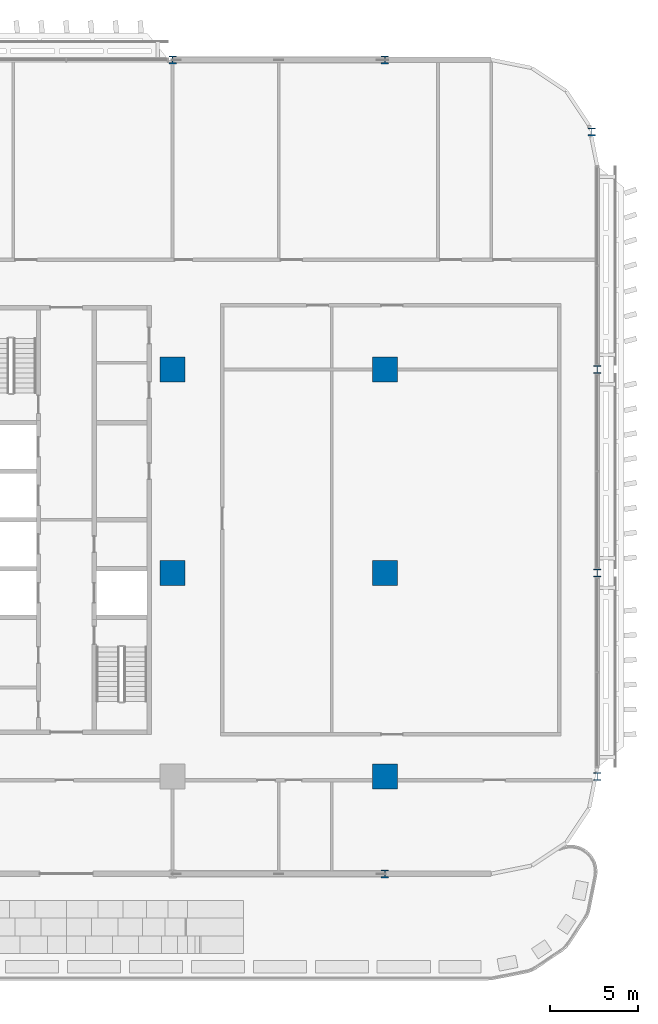
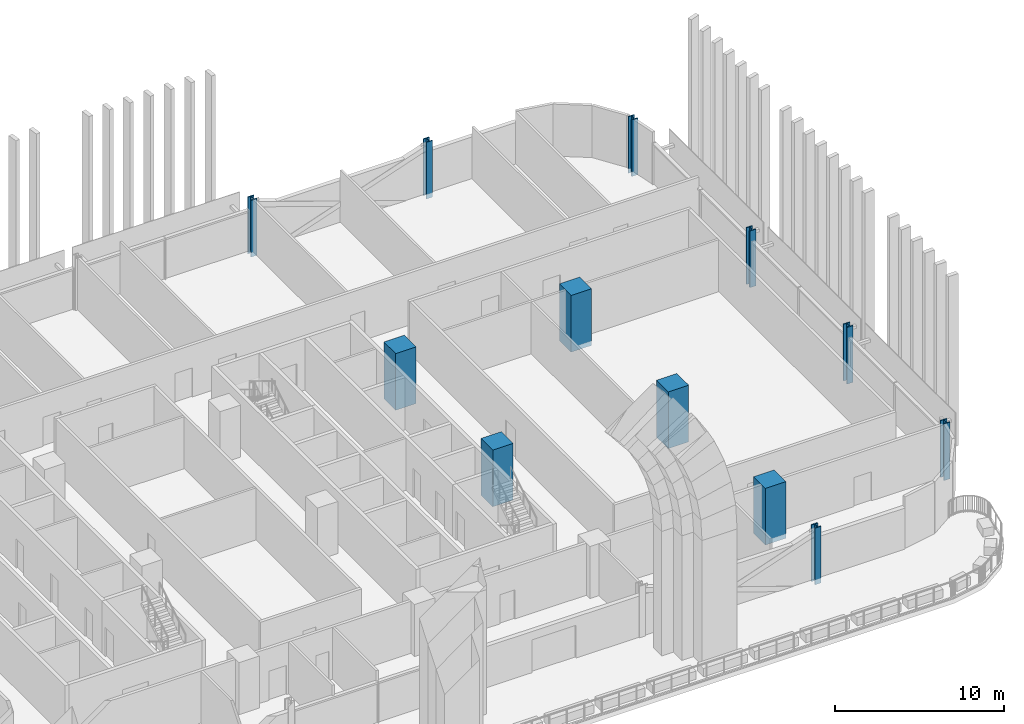
# One storey, part 2 of 31: 12 columns.
"""IFC4 building model written with IfcOpenShell, lengths in metres."""

import ifcopenshell
import ifcopenshell.guid

model = None  # the IFC model being written
_history = None  # IfcOwnerHistory: only IFC2X3 demands one
_inside = {}  # id of a spatial element -> (the spatial element, [elements in it])
_under = {}  # id of a project, library or spatial element -> (it, [spatial elements below it])
_declared = {}  # id of a project -> (the project, [libraries it declares])
_typed = {}  # id of a type object -> (the type object, [elements of that type])
_made_of = {}  # id of a material, layer set ... -> (it, [elements and type objects made of it])


def new_model(schema):
    """Start an empty IFC model of exactly this schema.

    Asked for "IFC4X3", IfcOpenShell would pick the latest addendum, in which some entities
    have other attributes; the version numbers below select the first issue.
    IFC2X3 requires an IfcOwnerHistory on every rooted entity: one is made here for all.
    """
    global model, _history
    if schema == "IFC4X3":
        model = ifcopenshell.file(schema_version=(4, 3, 0, 0))
    else:
        model = ifcopenshell.file(schema=schema)
    _inside.clear()
    _under.clear()
    _declared.clear()
    _typed.clear()
    _made_of.clear()
    _history = None
    if model.schema == "IFC2X3":
        org = make("IfcOrganization", Name="unknown")
        user = make(
            "IfcPersonAndOrganization",
            ThePerson=make("IfcPerson", FamilyName="unknown"),
            TheOrganization=org,
        )
        app = make(
            "IfcApplication",
            ApplicationDeveloper=org,
            Version="unknown",
            ApplicationFullName="unknown",
            ApplicationIdentifier="unknown",
        )
        _history = make(
            "IfcOwnerHistory",
            OwningUser=user,
            OwningApplication=app,
            ChangeAction="ADDED",
            CreationDate=0,
        )
    return model


def make(cls, **values):
    """One entity of the class cls with the attributes given. An attribute that is None is left unset."""
    return model.create_entity(
        cls, **{name: value for name, value in values.items() if value is not None}
    )


def rooted(cls, **values):
    """An entity with a GlobalId (a new one), such as an element, a storey or a relation."""
    return make(cls, GlobalId=ifcopenshell.guid.new(), OwnerHistory=_history, **values)


def si_unit(unit_type, name, prefix=None):
    """IfcSIUnit, for example si_unit("LENGTHUNIT", "METRE", prefix="MILLI")."""
    return make("IfcSIUnit", UnitType=unit_type, Prefix=prefix, Name=name)


def assignment(units):
    """IfcUnitAssignment: the units of a project."""
    return None if units is None else make("IfcUnitAssignment", Units=units)


def point(xyz):
    """IfcCartesianPoint."""
    return None if xyz is None else make("IfcCartesianPoint", Coordinates=xyz)


def direction(xyz):
    """IfcDirection."""
    return None if xyz is None else make("IfcDirection", DirectionRatios=xyz)


def frame(location, z_axis=None, x_axis=None):
    """IfcAxis2Placement3D, a coordinate frame: its origin and axes. An axis left out is left unset."""
    return make(
        "IfcAxis2Placement3D",
        Location=point(location),
        Axis=direction(z_axis),
        RefDirection=direction(x_axis),
    )


def frame_2d(location, x_axis=None):
    """IfcAxis2Placement2D, a coordinate frame in the plane: its origin and x axis."""
    return make(
        "IfcAxis2Placement2D", Location=point(location), RefDirection=direction(x_axis)
    )


def origin():
    """The frame at (0, 0, 0) with its axes left unset."""
    return frame((0.0, 0.0, 0.0))


def origin_2d():
    """The frame at (0, 0) in the plane with its x axis left unset."""
    return frame_2d((0.0, 0.0))


def place(relative_to, where):
    """IfcLocalPlacement: puts the frame where relative to a parent placement (None: the world)."""
    return make(
        "IfcLocalPlacement", PlacementRelTo=relative_to, RelativePlacement=where
    )


def context(
    kind, dimensions, precision=None, world=None, true_north=None, identifier=None
):
    """IfcGeometricRepresentationContext, for example the 3D "Model" context."""
    return make(
        "IfcGeometricRepresentationContext",
        ContextIdentifier=identifier,
        ContextType=kind,
        CoordinateSpaceDimension=dimensions,
        Precision=precision,
        WorldCoordinateSystem=world,
        TrueNorth=true_north,
    )


def subcontext(parent, identifier, kind, view, scale=None):
    """IfcGeometricRepresentationSubContext, for example "Body" below "Model"."""
    return make(
        "IfcGeometricRepresentationSubContext",
        ContextIdentifier=identifier,
        ContextType=kind,
        ParentContext=parent,
        TargetScale=scale,
        TargetView=view,
    )


def project(units=None, contexts=None):
    """IfcProject with its units and contexts."""
    return rooted(
        "IfcProject",
        Name="project",
        RepresentationContexts=contexts,
        UnitsInContext=assignment(units),
    )


def spatial(cls, under=None, at=None, **own):
    """A site, building, storey or space (cls), placed at a placement, below another one or the project."""
    s = rooted(cls, ObjectPlacement=at, **own)
    if under is not None:
        _under.setdefault(under.id(), (under, []))[1].append(s)
    return s


def profile(cls, at=None, kind="AREA", **sizes):
    """A parametric profile (cls). Its sizes go by their IFC names, for example OverallWidth=200.0."""
    return make(cls, ProfileType=kind, Position=at, **sizes)


def rectangle(**sizes):
    """IfcRectangleProfileDef."""
    return profile("IfcRectangleProfileDef", **sizes)


def i_section(**sizes):
    """IfcIShapeProfileDef."""
    return profile("IfcIShapeProfileDef", **sizes)


def extrude(swept, where, along, depth):
    """IfcExtrudedAreaSolid: the profile swept, set in the frame where, extruded along a direction by depth."""
    return make(
        "IfcExtrudedAreaSolid",
        SweptArea=swept,
        Position=where,
        ExtrudedDirection=direction(along),
        Depth=depth,
    )


def shape(context_of_items, identifier, shape_type, items):
    """IfcShapeRepresentation: the items that make up one representation, for example the "Body"."""
    return make(
        "IfcShapeRepresentation",
        ContextOfItems=context_of_items,
        RepresentationIdentifier=identifier,
        RepresentationType=shape_type,
        Items=items,
    )


def material(Name=None, Category=None):
    """IfcMaterial."""
    return make("IfcMaterial", Name=Name, Category=Category)


def material_profile(
    of_material, cross_section, Name=None, Category=None, Priority=None
):
    """IfcMaterialProfile: a cross section and its material."""
    return make(
        "IfcMaterialProfile",
        Name=Name,
        Material=of_material,
        Profile=cross_section,
        Priority=Priority,
        Category=Category,
    )


def profile_set(profiles, Name=None, composite=None):
    """IfcMaterialProfileSet."""
    return make(
        "IfcMaterialProfileSet",
        Name=Name,
        MaterialProfiles=profiles,
        CompositeProfile=composite,
    )


def made_of(thing, what):
    """Note that an element or type object is made of a material, layer set ...; save() writes the relation."""
    if what is not None:
        _made_of.setdefault(what.id(), (what, []))[1].append(thing)
    return thing


def type_object(cls, material=None, **own):
    """A type object (cls), such as IfcWallType, which elements share."""
    return made_of(rooted(cls, **own), material)


def element(
    cls,
    number,
    at=None,
    inside=None,
    cuts=None,
    type_object=None,
    material=None,
    context=None,
    identifier="Body",
    shape_type=None,
    held_by="IfcProductDefinitionShape",
    body=None,
    shapes=None,
    **own,
):
    """One element of the class cls, such as IfcWall. Its Tag is "e" and its number.

    at: its placement. inside: the storey or other place that contains it. cuts: it is an
    opening in that element (IfcRelVoidsElement). A single representation is given by context,
    identifier, shape_type and body (its items); several are given by shapes. held_by: the class
    of the entity that holds the representations. save() writes the other relations.
    """
    e = rooted(cls, Tag="e%d" % number, ObjectPlacement=at, **own)
    if body is not None:
        shapes = [shape(context, identifier, shape_type, body)]
    if shapes is not None:
        e.Representation = make(held_by, Representations=shapes)
    if inside is not None:
        _inside.setdefault(inside.id(), (inside, []))[1].append(e)
    if cuts is not None:
        rooted(
            "IfcRelVoidsElement", RelatingBuildingElement=cuts, RelatedOpeningElement=e
        )
    if type_object is not None:
        _typed.setdefault(type_object.id(), (type_object, []))[1].append(e)
    return made_of(e, material)


def aggregate(whole, parts):
    """IfcRelAggregates: a whole, such as a stair, and the parts it consists of."""
    return rooted("IfcRelAggregates", RelatingObject=whole, RelatedObjects=parts)


def save(model, path):
    """Write the relations noted so far, then the file.

    IfcRelAggregates (storeys below a building ...), IfcRelContainedInSpatialStructure (elements
    in a storey), IfcRelDefinesByType, IfcRelAssociatesMaterial and IfcRelDeclares: one each for
    every whole, place, type object, material and project.
    """
    for whole, parts in _under.values():
        aggregate(whole, parts)
    for where, things in _inside.values():
        rooted(
            "IfcRelContainedInSpatialStructure",
            RelatedElements=things,
            RelatingStructure=where,
        )
    for kind, things in _typed.values():
        rooted("IfcRelDefinesByType", RelatedObjects=things, RelatingType=kind)
    for what, things in _made_of.values():
        rooted("IfcRelAssociatesMaterial", RelatedObjects=things, RelatingMaterial=what)
    for by, libraries in _declared.values():
        rooted("IfcRelDeclares", RelatingContext=by, RelatedDefinitions=libraries)
    model.write(path)


model = new_model("IFC4")

# Units and contexts
model_context = context("Model", 3, precision=1e-05, world=origin(), true_north=direction((0.0, 1.0)))
body_context = subcontext(model_context, "Body", "Model", "MODEL_VIEW")
ifc_project = project(units=[si_unit("LENGTHUNIT", "METRE"), si_unit("AREAUNIT", "SQUARE_METRE"), si_unit("VOLUMEUNIT", "CUBIC_METRE"), si_unit("PLANEANGLEUNIT", "RADIAN"), si_unit("MASSUNIT", "GRAM", prefix="KILO")], contexts=[model_context])

# Site, building, storey
site_placement = place(None, origin())
site = spatial("IfcSite", under=ifc_project, at=site_placement, CompositionType="ELEMENT")
building_placement = place(site_placement, origin())
building = spatial("IfcBuilding", under=site, at=building_placement, Name="Mahtab Terrace Research Tower", CompositionType="ELEMENT")
storey_placement = place(building_placement, frame((0.0, 0.0, 84.800048828125)))
storey = spatial("IfcBuildingStorey", under=building, at=storey_placement, Name="L19", CompositionType="ELEMENT", Elevation=84.800048828125)

# Columns
ifc_material_1 = material(Name="Concrete C70/85", Category="concrete")
ifc_material_profile_1 = material_profile(ifc_material_1, rectangle(XDim=1.39990234375, YDim=1.39990234375, at=origin_2d()), Name="RC column 1400x1400")
ifc_profile_set_1 = profile_set([ifc_material_profile_1], Name="Concrete C70/85")
column_type_1 = type_object("IfcColumnType", Name="RC column 1400x1400", PredefinedType="COLUMN", material=ifc_profile_set_1)
for number, where, z_axis, x_axis, name in (
    (1, (30.0, 0.0, -0.340087890625), (0.0, 0.0, 1.0), (1.0, 0.0, 0.0), "Column RC-7B L19"),
    (2, (30.0, 11.5, -0.340087890625), (0.0, 0.0, 1.0), (1.0, 0.0, 0.0), "Column RC-7C L19"),
    (3, (42.0, -11.5, -0.340087890625), (0.0, 0.0, 1.0), (1.0, 0.0, 0.0), "Column RC-8A L19"),
    (4, (42.0, 0.0, -0.340087890625), (0.0, 0.0, 1.0), (1.0, 0.0, 0.0), "Column RC-8B L19"),
    (5, (42.0, 11.5, -0.340087890625), (0.0, 0.0, 1.0), (1.0, 0.0, 0.0), "Column RC-8C L19"),
):
    element("IfcColumn", number, at=place(storey_placement, frame(where, z_axis=z_axis, x_axis=x_axis)), inside=storey, type_object=column_type_1, Name=name, PredefinedType="COLUMN", context=body_context, shape_type="SweptSolid", body=[
        extrude(rectangle(XDim=1.39990234375, YDim=1.39990234375, at=origin_2d()), origin(), (0.0, 0.0, 1.0), 4.10009765625),
    ])
ifc_material_2 = material(Name="Steel ASTM A992 Gr 50", Category="steel")
ifc_material_profile_2 = material_profile(ifc_material_2, i_section(OverallWidth=0.419189453125, OverallDepth=0.45458984375, WebThickness=0.042236328125, FlangeThickness=0.067626953125, at=origin_2d()), Name="W14X370")
ifc_profile_set_2 = profile_set([ifc_material_profile_2], Name="Steel ASTM A992 Gr 50")
column_type_2 = type_object("IfcColumnType", Name="W14x370 column CS14370", PredefinedType="COLUMN", material=ifc_profile_set_2)
for number, where, z_axis, x_axis, name in (
    (6, (53.681884765625, 24.927001953125, -0.340087890625), (0.0, 0.0, 1.0), (1.0, 0.0, 0.0), "Column SC-030 L19"),
    (7, (42.0, 29.0, -0.340087890625), (0.0, 0.0, 1.0), (1.0, 0.0, 0.0), "Column SC-031 L19"),
    (8, (30.0, 29.0, -0.340087890625), (0.0, 0.0, 1.0), (1.0, 0.0, 0.0), "Column SC-032 L19"),
    (9, (42.0, -17.0, -0.340087890625), (0.0, 0.0, 1.0), (1.0, 0.0, 0.0), "Column SC-045 L19"),
    (10, (54.0, -11.5, -0.340087890625), (0.0, 0.0, 1.0), (1.0, 0.0, 0.0), "Column SC-027 L19"),
    (11, (54.0, 0.0, -0.340087890625), (0.0, 0.0, 1.0), (1.0, 0.0, 0.0), "Column SC-028 L19"),
    (12, (54.0, 11.5, -0.340087890625), (0.0, 0.0, 1.0), (1.0, 0.0, 0.0), "Column SC-029 L19"),
):
    element("IfcColumn", number, at=place(storey_placement, frame(where, z_axis=z_axis, x_axis=x_axis)), inside=storey, type_object=column_type_2, Name=name, PredefinedType="COLUMN", context=body_context, shape_type="SweptSolid", body=[
        extrude(i_section(OverallWidth=0.419189453125, OverallDepth=0.45458984375, WebThickness=0.042236328125, FlangeThickness=0.067626953125, at=origin_2d()), origin(), (0.0, 0.0, 1.0), 4.10009765625),
    ])

save(model, "model.ifc")
